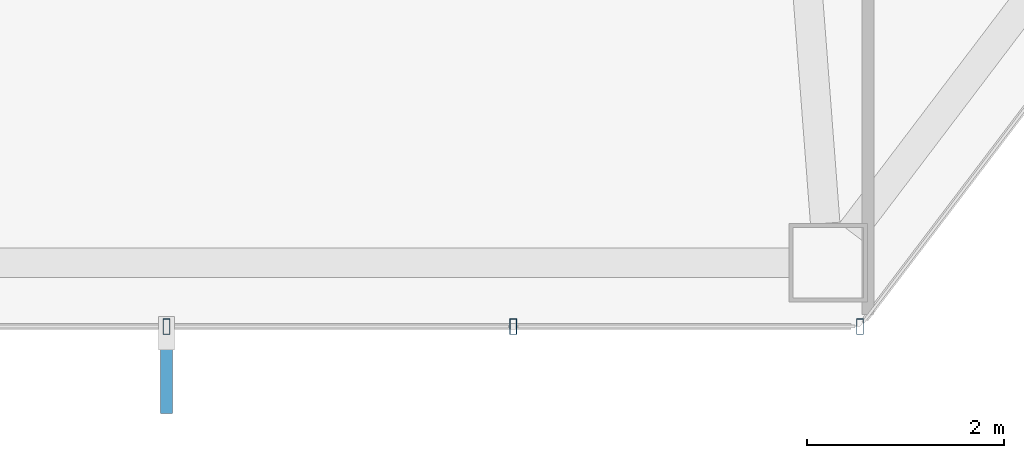
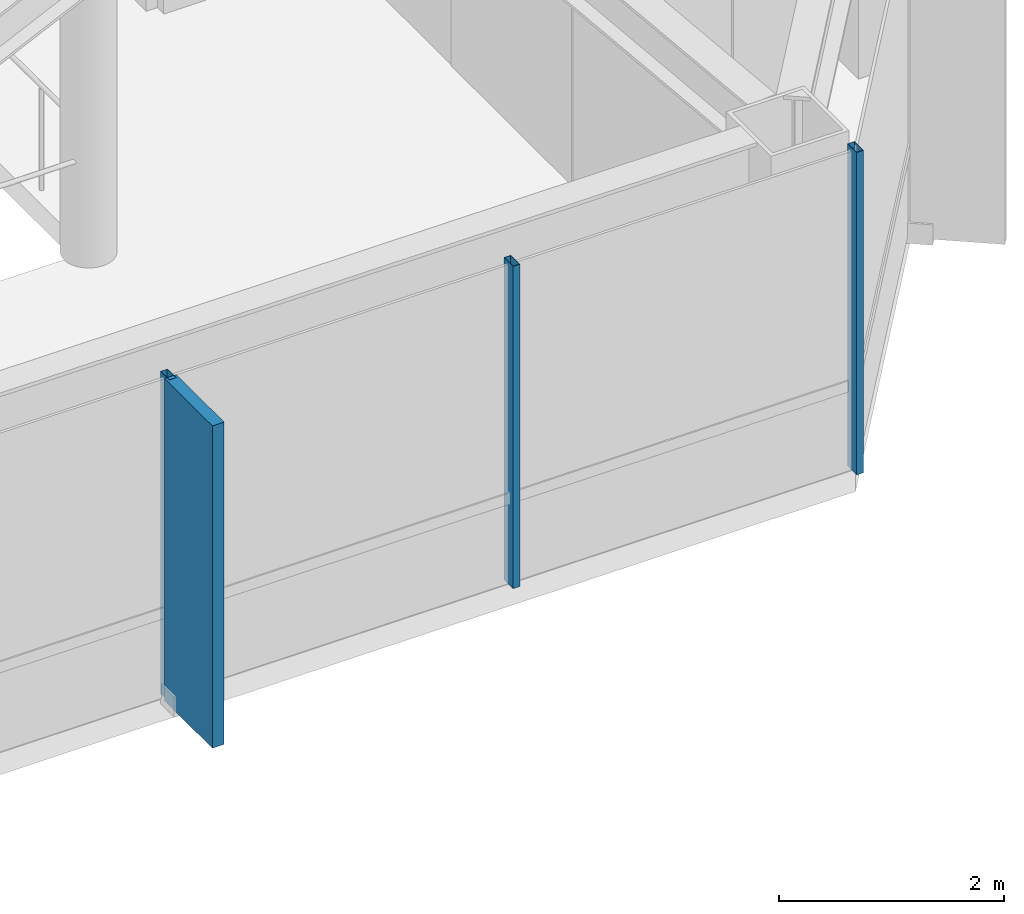
# One storey, part 8 of 28: 4 members, 1 element without a shape of its own.
"""IFC4 building model written with IfcOpenShell, lengths in metres."""

from ifc_helpers import new_model, si_unit, direction, frame, origin, origin_2d, place, context, subcontext, project, spatial, rectangle, hollow_rectangle, extrude, material, layer, layer_set, material_profile, profile_set, type_object, element, aggregate, save


model = new_model("IFC4")

# Units and contexts
model_context = context("Model", 3, precision=1e-05, world=origin(), true_north=direction((0.0, 1.0)))
body_context = subcontext(model_context, "Body", "Model", "MODEL_VIEW")
ifc_project = project(units=[si_unit("LENGTHUNIT", "METRE"), si_unit("AREAUNIT", "SQUARE_METRE"), si_unit("VOLUMEUNIT", "CUBIC_METRE"), si_unit("PLANEANGLEUNIT", "RADIAN"), si_unit("MASSUNIT", "GRAM", prefix="KILO")], contexts=[model_context])

# Site, building, storey
site_placement = place(None, origin())
site = spatial("IfcSite", under=ifc_project, at=site_placement, CompositionType="ELEMENT")
building_placement = place(site_placement, origin())
building = spatial("IfcBuilding", under=site, at=building_placement, Name="Zarrinselat Tower", CompositionType="ELEMENT")
storey_placement = place(building_placement, frame((0.0, 0.0, 127.159912109375)))
storey = spatial("IfcBuildingStorey", under=building, at=storey_placement, Name="L30", CompositionType="ELEMENT", Elevation=127.159912109375)

# Curtain wall, members
ifc_material_1 = material(Name="Extruded Aluminium Alloy EN AW-6063 T6", Category="aluminium")
ifc_layer = layer(ifc_material_1, 0.175048828125)
ifc_layer_set = layer_set([ifc_layer], Name="Extruded Aluminium Alloy EN AW-6063 T6")
curtain_wall_type = type_object("IfcCurtainWallType", Name="CWS-HTL", PredefinedType="NOTDEFINED", material=ifc_layer_set)
curtain_wall_placement = place(storey_placement, origin())
curtain_wall = element("IfcCurtainWall", 1, at=curtain_wall_placement, inside=storey, type_object=curtain_wall_type, Name="L30 Unitised Curtain Wall CW-L30-E04", PredefinedType="NOTDEFINED")
ifc_material_2 = material(Name="Extruded Aluminium Alloy EN AW-6063 T6", Category="aluminium")
ifc_material_profile_1 = material_profile(ifc_material_2, hollow_rectangle(XDim=0.070068359375, YDim=0.159912109375, WallThickness=0.00390625, at=origin_2d()), Name="RHS 160x70x4")
ifc_profile_set_1 = profile_set([ifc_material_profile_1], Name="Extruded Aluminium Alloy EN AW-6063 T6")
member_type_1 = type_object("IfcMemberType", Name="MEM-CW-MUL2", PredefinedType="MULLION", material=ifc_profile_set_1)
member_1_placement = place(storey_placement, frame((40.16357421875, 18.06640625, 0.0), z_axis=(0.0, 0.0, 1.0), x_axis=(1.0, 0.0, 0.0)))
member_1 = element("IfcMember", 2, at=member_1_placement, type_object=member_type_1, Name="CW-L30-E04 Mullion 3", PredefinedType="MULLION", context=body_context, shape_type="SweptSolid", body=[
    extrude(hollow_rectangle(XDim=0.070068359375, YDim=0.159912109375, WallThickness=0.00390625, at=origin_2d()), origin(), (0.0, 0.0, 1.0), 3.5),
])
member_2_placement = place(storey_placement, frame((43.690673828125, 18.06640625, 0.0), z_axis=(0.0, 0.0, 1.0), x_axis=(1.0, 0.0, 0.0)))
member_2 = element("IfcMember", 3, at=member_2_placement, type_object=member_type_1, Name="CW-L30-E04 Mullion 4", PredefinedType="MULLION", context=body_context, shape_type="SweptSolid", body=[
    extrude(hollow_rectangle(XDim=0.070068359375, YDim=0.159912109375, WallThickness=0.00390625, at=origin_2d()), origin(), (0.0, 0.0, 1.0), 3.5),
])
member_3_placement = place(storey_placement, frame((47.218017578125, 18.06640625, 0.0), z_axis=(0.0, 0.0, 1.0), x_axis=(1.0, 0.0, 0.0)))
member_3 = element("IfcMember", 4, at=member_3_placement, type_object=member_type_1, Name="CW-L30-E04 Mullion 5", PredefinedType="MULLION", context=body_context, shape_type="SweptSolid", body=[
    extrude(hollow_rectangle(XDim=0.070068359375, YDim=0.159912109375, WallThickness=0.00390625, at=origin_2d()), origin(), (0.0, 0.0, 1.0), 3.5),
])
ifc_material_3 = material(Name="Honed Cream Travertine Stone", Category="masonry")
ifc_material_profile_2 = material_profile(ifc_material_3, rectangle(XDim=0.1201171875, YDim=0.85009765625, at=origin_2d()), Name="FIN 850x120")
ifc_profile_set_2 = profile_set([ifc_material_profile_2], Name="Honed Cream Travertine Stone")
member_type_2 = type_object("IfcMemberType", Name="MEM-STONE-FIN", PredefinedType="USERDEFINED", material=ifc_profile_set_2)
member_4_placement = place(storey_placement, frame((40.16357421875, 17.606201171875, 0.0), z_axis=(0.0, 0.0, 1.0), x_axis=(-1.0, 0.0, 0.0)))
member_4 = element("IfcMember", 5, at=member_4_placement, type_object=member_type_2, Name="L30 Stone Shading Fin CW-L30-E04-03", ObjectType="FIN", PredefinedType="USERDEFINED", context=body_context, shape_type="SweptSolid", body=[
    extrude(rectangle(XDim=0.1201171875, YDim=0.85009765625, at=origin_2d()), origin(), (0.0, 0.0, 1.0), 3.5),
])
aggregate(curtain_wall, [member_1, member_4, member_2, member_3])

save(model, "model.ifc")
